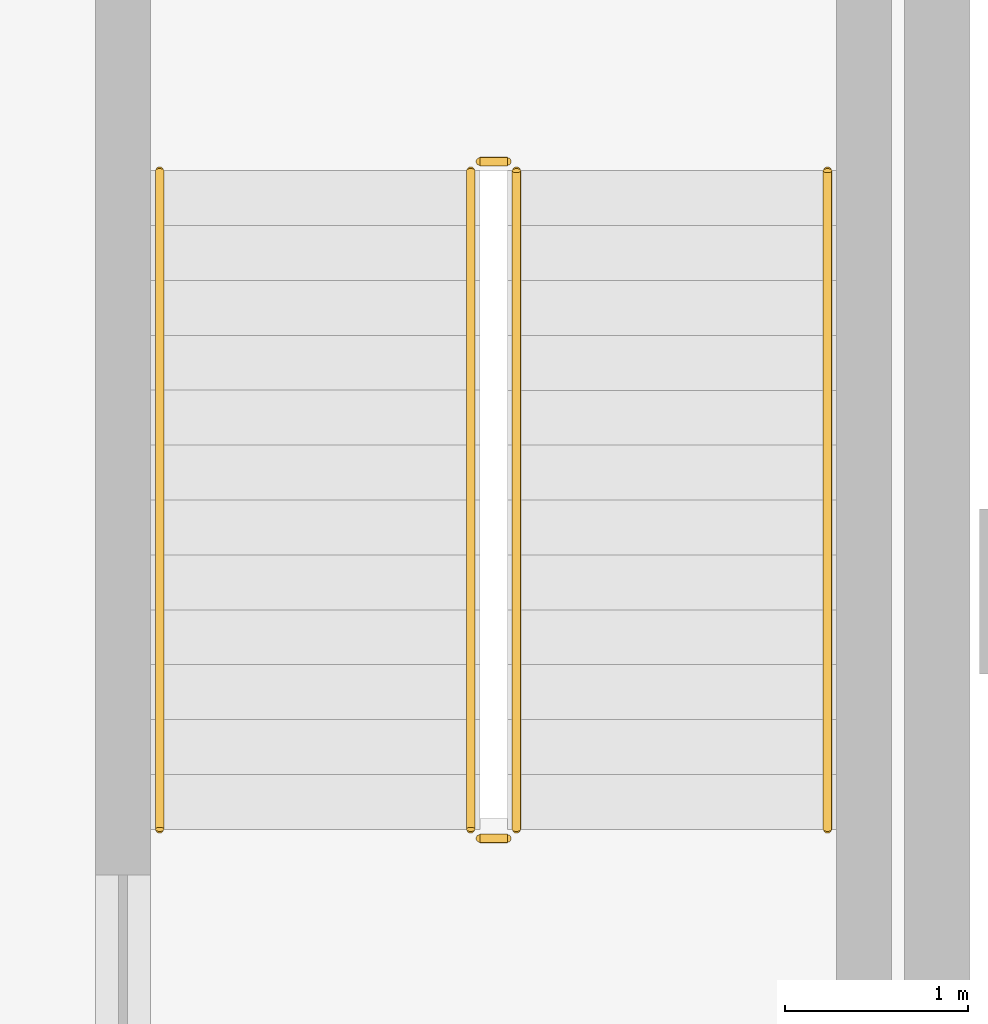
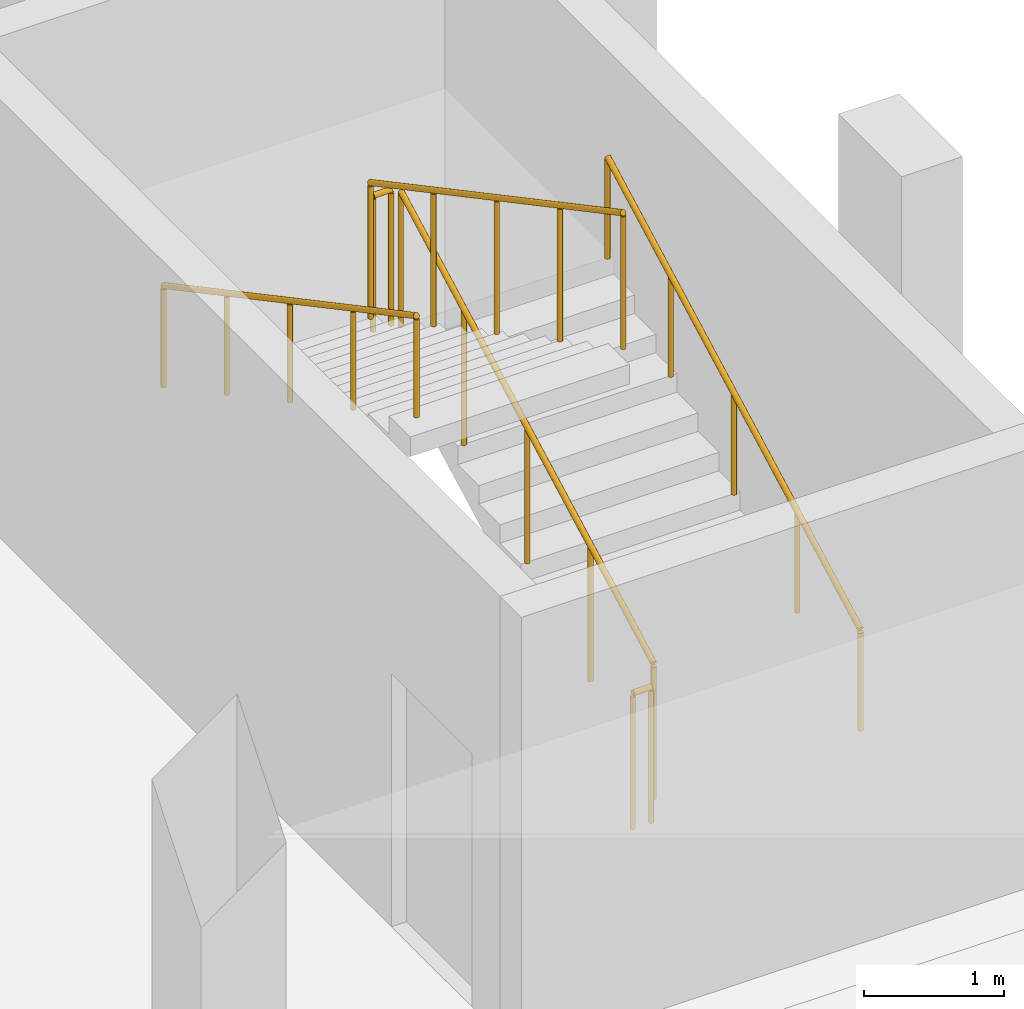
# One storey, part 56 of 57: 6 railings.
"""IFC4 building model written with IfcOpenShell, lengths in metres."""

from ifc_helpers import new_model, si_unit, direction, frame, origin, origin_2d, place, context, subcontext, project, spatial, circle, extrude, material, type_object, element, save


model = new_model("IFC4")

# Units and contexts
model_context = context("Model", 3, precision=1e-05, world=origin(), true_north=direction((0.0, 1.0)))
body_context = subcontext(model_context, "Body", "Model", "MODEL_VIEW")
ifc_project = project(units=[si_unit("LENGTHUNIT", "METRE"), si_unit("AREAUNIT", "SQUARE_METRE"), si_unit("VOLUMEUNIT", "CUBIC_METRE"), si_unit("PLANEANGLEUNIT", "RADIAN"), si_unit("MASSUNIT", "GRAM", prefix="KILO")], contexts=[model_context])

# Site, building, storey
site_placement = place(None, origin())
site = spatial("IfcSite", under=ifc_project, at=site_placement, CompositionType="ELEMENT")
building_placement = place(site_placement, origin())
building = spatial("IfcBuilding", under=site, at=building_placement, Name="Valkovuoma Quantum and Materials Research Institute", CompositionType="ELEMENT")
storey_placement = place(building_placement, frame((0.0, 0.0, 4.800048828125)))
storey = spatial("IfcBuildingStorey", under=building, at=storey_placement, Name="L01", CompositionType="ELEMENT", Elevation=4.800048828125)

# Railings
ifc_material_1 = material(Name="Painted steel stair balustrade", Category="steel")
railing_type_1 = type_object("IfcRailingType", Name="Rail-GRD-ST", PredefinedType="BALUSTRADE", material=ifc_material_1)
railing_1_placement = place(storey_placement, frame((163.300048828125, 59.89990234375, 0.159912109375)))
element("IfcRailing", 1, at=railing_1_placement, inside=storey, type_object=railing_type_1, Name="L01 ST-3 stair guard 1", PredefinedType="BALUSTRADE", context=body_context, shape_type="SweptSolid", body=[
    extrude(circle(Radius=0.02392578125, at=origin_2d()), frame((0.0, 0.0, 1.17578125), z_axis=(0.0, 0.882366192074, 0.470563389019), x_axis=(-1.0, 0.0, 0.0)), (0.0, 0.0, 1.0), 4.080078125),
    extrude(circle(Radius=0.02099609375, at=origin_2d()), origin(), (0.0, 0.0, 1.0), 1.15185546875),
    extrude(circle(Radius=0.02099609375, at=origin_2d()), frame((0.0, 0.89990234375, 0.47998046875)), (0.0, 0.0, 1.0), 1.15185546875),
    extrude(circle(Radius=0.02099609375, at=origin_2d()), frame((0.0, 1.800048828125, 0.9599609375)), (0.0, 0.0, 1.0), 1.15185546875),
    extrude(circle(Radius=0.02099609375, at=origin_2d()), frame((0.0, 2.7001953125, 1.43994140625)), (0.0, 0.0, 1.0), 1.15185546875),
    extrude(circle(Radius=0.02099609375, at=origin_2d()), frame((0.0, 3.60009765625, 1.919921875)), (0.0, 0.0, 1.0), 1.15185546875),
])
railing_2_placement = place(storey_placement, frame((163.25, 63.550048828125, 2.079833984375)))
element("IfcRailing", 2, at=railing_2_placement, inside=storey, type_object=railing_type_1, Name="L01 ST-3 stair guard 2", PredefinedType="BALUSTRADE", context=body_context, shape_type="SweptSolid", body=[
    extrude(circle(Radius=0.02392578125, at=origin_2d()), frame((0.0, 0.0, 1.17578125), z_axis=(-1.0, 0.0, 0.0), x_axis=(0.0, -1.0, 0.0)), (0.0, 0.0, 1.0), 0.14990234375),
    extrude(circle(Radius=0.02099609375, at=origin_2d()), origin(), (0.0, 0.0, 1.0), 1.15185546875),
    extrude(circle(Radius=0.02099609375, at=origin_2d()), frame((-0.14990234375, 0.0, 0.0)), (0.0, 0.0, 1.0), 1.15185546875),
])
railing_3_placement = place(storey_placement, frame((163.050048828125, 63.5, 2.239990234375)))
element("IfcRailing", 3, at=railing_3_placement, inside=storey, type_object=railing_type_1, Name="L01 ST-3 stair guard 3", PredefinedType="BALUSTRADE", context=body_context, shape_type="SweptSolid", body=[
    extrude(circle(Radius=0.02392578125, at=origin_2d()), frame((0.0, 0.0, 1.17578125), z_axis=(0.0, -0.882366192074, 0.470563389019), x_axis=(1.0, 0.0, 0.0)), (0.0, 0.0, 1.0), 4.080078125),
    extrude(circle(Radius=0.02099609375, at=origin_2d()), origin(), (0.0, 0.0, 1.0), 1.15185546875),
    extrude(circle(Radius=0.02099609375, at=origin_2d()), frame((0.0, -0.89990234375, 0.47998046875)), (0.0, 0.0, 1.0), 1.15185546875),
    extrude(circle(Radius=0.02099609375, at=origin_2d()), frame((0.0, -1.800048828125, 0.9599609375)), (0.0, 0.0, 1.0), 1.15185546875),
    extrude(circle(Radius=0.02099609375, at=origin_2d()), frame((0.0, -2.7001953125, 1.43994140625)), (0.0, 0.0, 1.0), 1.15185546875),
    extrude(circle(Radius=0.02099609375, at=origin_2d()), frame((0.0, -3.60009765625, 1.919921875)), (0.0, 0.0, 1.0), 1.15185546875),
])
railing_4_placement = place(storey_placement, frame((163.25, 59.85009765625, 0.0)))
element("IfcRailing", 4, at=railing_4_placement, inside=storey, type_object=railing_type_1, Name="L01 ST-3 stair guard 4", PredefinedType="BALUSTRADE", context=body_context, shape_type="SweptSolid", body=[
    extrude(circle(Radius=0.02392578125, at=origin_2d()), frame((0.0, 0.0, 1.17578125), z_axis=(-1.0, 0.0, 0.0), x_axis=(0.0, -1.0, 0.0)), (0.0, 0.0, 1.0), 0.14990234375),
    extrude(circle(Radius=0.02099609375, at=origin_2d()), origin(), (0.0, 0.0, 1.0), 1.15185546875),
    extrude(circle(Radius=0.02099609375, at=origin_2d()), frame((-0.14990234375, 0.0, 0.0)), (0.0, 0.0, 1.0), 1.15185546875),
])
ifc_material_2 = material(Name="Brushed stainless steel handrail", Category="steel")
railing_type_2 = type_object("IfcRailingType", Name="Rail-HR-ST", PredefinedType="HANDRAIL", material=ifc_material_2)
railing_5_placement = place(storey_placement, frame((165.0, 59.89990234375, 0.159912109375)))
element("IfcRailing", 5, at=railing_5_placement, inside=storey, type_object=railing_type_2, Name="L01 ST-3 stair handrail 1", PredefinedType="HANDRAIL", context=body_context, shape_type="SweptSolid", body=[
    extrude(circle(Radius=0.02392578125, at=origin_2d()), frame((0.0, 0.0, 0.8759765625), z_axis=(0.0, 0.882366192074, 0.470563389019), x_axis=(-1.0, 0.0, 0.0)), (0.0, 0.0, 1.0), 4.080078125),
    extrude(circle(Radius=0.02099609375, at=origin_2d()), origin(), (0.0, 0.0, 1.0), 0.851806640625),
    extrude(circle(Radius=0.02099609375, at=origin_2d()), frame((0.0, 0.89990234375, 0.47998046875)), (0.0, 0.0, 1.0), 0.851806640625),
    extrude(circle(Radius=0.02099609375, at=origin_2d()), frame((0.0, 1.800048828125, 0.9599609375)), (0.0, 0.0, 1.0), 0.851806640625),
    extrude(circle(Radius=0.02099609375, at=origin_2d()), frame((0.0, 2.7001953125, 1.43994140625)), (0.0, 0.0, 1.0), 0.851806640625),
    extrude(circle(Radius=0.02099609375, at=origin_2d()), frame((0.0, 3.60009765625, 1.919921875)), (0.0, 0.0, 1.0), 0.851806640625),
])
railing_6_placement = place(storey_placement, frame((161.35009765625, 63.5, 2.239990234375)))
element("IfcRailing", 6, at=railing_6_placement, inside=storey, type_object=railing_type_2, Name="L01 ST-3 stair handrail 2", PredefinedType="HANDRAIL", context=body_context, shape_type="SweptSolid", body=[
    extrude(circle(Radius=0.02392578125, at=origin_2d()), frame((0.0, 0.0, 0.8759765625), z_axis=(0.0, -0.882366192074, 0.470563389019), x_axis=(1.0, 0.0, 0.0)), (0.0, 0.0, 1.0), 4.080078125),
    extrude(circle(Radius=0.02099609375, at=origin_2d()), origin(), (0.0, 0.0, 1.0), 0.851806640625),
    extrude(circle(Radius=0.02099609375, at=origin_2d()), frame((0.0, -0.89990234375, 0.47998046875)), (0.0, 0.0, 1.0), 0.851806640625),
    extrude(circle(Radius=0.02099609375, at=origin_2d()), frame((0.0, -1.800048828125, 0.9599609375)), (0.0, 0.0, 1.0), 0.851806640625),
    extrude(circle(Radius=0.02099609375, at=origin_2d()), frame((0.0, -2.7001953125, 1.43994140625)), (0.0, 0.0, 1.0), 0.851806640625),
    extrude(circle(Radius=0.02099609375, at=origin_2d()), frame((0.0, -3.60009765625, 1.919921875)), (0.0, 0.0, 1.0), 0.851806640625),
])

save(model, "model.ifc")
